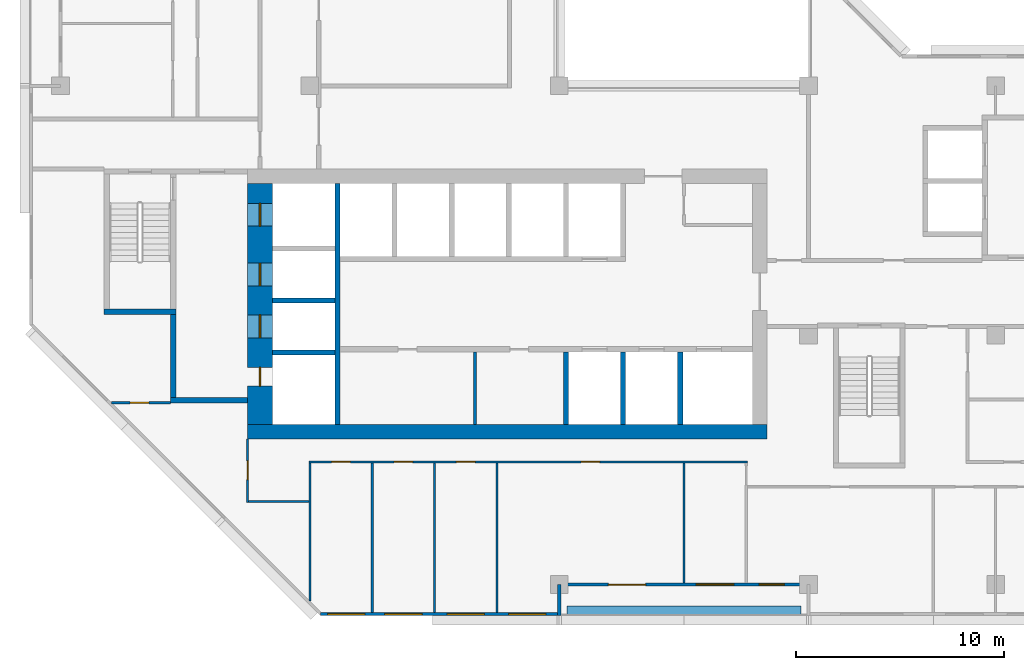
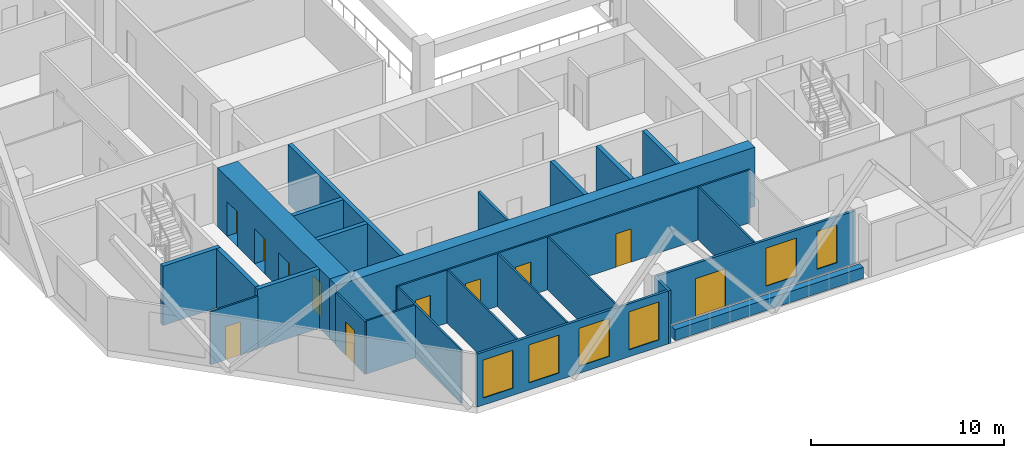
# One storey, part 4 of 16: 25 walls, 11 doors, 6 windows, 17 openings.
"""IFC4 building model written with IfcOpenShell, lengths in metres."""

from ifc_helpers import new_model, si_unit, direction, frame, frame_2d, origin, place, context, subcontext, project, spatial, rectangle, extrude, material, layer, layer_set, type_object, element, fill, save


model = new_model("IFC4")

# Units and contexts
model_context = context("Model", 3, precision=1e-05, world=origin(), true_north=direction((0.0, 1.0)))
body_context = subcontext(model_context, "Body", "Model", "MODEL_VIEW")
ifc_project = project(units=[si_unit("LENGTHUNIT", "METRE"), si_unit("AREAUNIT", "SQUARE_METRE"), si_unit("VOLUMEUNIT", "CUBIC_METRE"), si_unit("PLANEANGLEUNIT", "RADIAN"), si_unit("MASSUNIT", "GRAM", prefix="KILO")], contexts=[model_context])

# Site, building, storey
site_placement = place(None, origin())
site = spatial("IfcSite", under=ifc_project, at=site_placement, CompositionType="ELEMENT")
building_placement = place(site_placement, origin())
building = spatial("IfcBuilding", under=site, at=building_placement, Name="Chenar Terraces", CompositionType="ELEMENT")
storey_placement = place(building_placement, frame((0.0, 0.0, 219.14990234375)))
storey = spatial("IfcBuildingStorey", under=building, at=storey_placement, Name="L51", CompositionType="ELEMENT", Elevation=219.14990234375)

# Wall
ifc_material_1 = material(Name="Gypsum board on steel studs", Category="steel")
ifc_layer_1 = layer(ifc_material_1, 0.14990234375)
ifc_layer_set_1 = layer_set([ifc_layer_1], Name="Gypsum board on steel studs")
wall_type_1 = type_object("IfcWallType", Name="Core partition 150 gypsum board", PredefinedType="PARTITIONING", material=ifc_layer_set_1)
wall_1_placement = place(storey_placement, frame((19.949951171875, 7.699951171875, 0.0), z_axis=(0.0, 0.0, 1.0), x_axis=(0.0, 1.0, 0.0)))
element("IfcWall", 1, at=wall_1_placement, inside=storey, type_object=wall_type_1, Name="Core partition CP1 freed bay wall", PredefinedType="PARTITIONING", context=body_context, shape_type="SweptSolid", body=[
    extrude(rectangle(XDim=3.5, YDim=0.14990234375, at=frame_2d((1.75, 0.0))), origin(), (0.0, 0.0, 1.0), 3.35009765625),
])

# Wall, openings, doors
ifc_material_2 = material(Name="Concrete C60/75", Category="concrete")
ifc_layer_2 = layer(ifc_material_2, 1.199951171875)
ifc_layer_set_2 = layer_set([ifc_layer_2], Name="Concrete C60/75")
wall_type_2 = type_object("IfcWallType", Name="Core wall 1200 Concrete C60/75", PredefinedType="SHEAR", material=ifc_layer_set_2)
wall_2_placement = place(storey_placement, frame((9.60009765625, 7.699951171875, 0.0), z_axis=(0.0, 0.0, 1.0), x_axis=(0.0, 1.0, 0.0)))
wall_2 = element("IfcWall", 2, at=wall_2_placement, inside=storey, type_object=wall_type_2, Name="Core wall W L51", PredefinedType="SHEAR", context=body_context, shape_type="SweptSolid", body=[
    extrude(rectangle(XDim=11.60009765625, YDim=1.199951171875, at=frame_2d((5.800048828125, 0.0))), origin(), (0.0, 0.0, 1.0), 3.75),
])
opening_1_placement = place(wall_2_placement, frame((4.175048828125, 0.0, 0.0)))
opening_1 = element("IfcOpeningElement", 3, at=opening_1_placement, cuts=wall_2, Name="Opening DL51-LD5", PredefinedType="OPENING", context=body_context, shape_type="SweptSolid", body=[
    extrude(rectangle(XDim=1.10009765625, YDim=2.199951171875, at=frame_2d((0.550048828125, 1.10009765625))), frame((0.0, 0.60986328125, 0.0), z_axis=(0.0, -1.0, 0.0), x_axis=(1.0, 0.0, 0.0)), (0.0, 0.0, 1.0), 1.219970703125),
])
opening_2_placement = place(wall_2_placement, frame((6.675048828125, 0.0, 0.0)))
opening_2 = element("IfcOpeningElement", 4, at=opening_2_placement, cuts=wall_2, Name="Opening DL51-LD6", PredefinedType="OPENING", context=body_context, shape_type="SweptSolid", body=[
    extrude(rectangle(XDim=1.10009765625, YDim=2.199951171875, at=frame_2d((0.550048828125, 1.10009765625))), frame((0.0, 0.60986328125, 0.0), z_axis=(0.0, -1.0, 0.0), x_axis=(1.0, 0.0, 0.0)), (0.0, 0.0, 1.0), 1.219970703125),
])
opening_3_placement = place(wall_2_placement, frame((9.550048828125, 0.0, 0.0)))
opening_3 = element("IfcOpeningElement", 5, at=opening_3_placement, cuts=wall_2, Name="Opening DL51-LD7", PredefinedType="OPENING", context=body_context, shape_type="SweptSolid", body=[
    extrude(rectangle(XDim=1.10009765625, YDim=2.199951171875, at=frame_2d((0.550048828125, 1.10009765625))), frame((0.0, 0.60986328125, 0.0), z_axis=(0.0, -1.0, 0.0), x_axis=(1.0, 0.0, 0.0)), (0.0, 0.0, 1.0), 1.219970703125),
])
opening_4_placement = place(wall_2_placement, frame((1.85009765625, 0.0, 0.0)))
opening_4 = element("IfcOpeningElement", 6, at=opening_4_placement, cuts=wall_2, Name="Opening DL51-C4", PredefinedType="OPENING", context=body_context, shape_type="SweptSolid", body=[
    extrude(rectangle(XDim=0.89990234375, YDim=2.10009765625, at=frame_2d((0.449951171875, 1.050048828125))), frame((0.0, 0.60986328125, 0.0), z_axis=(0.0, -1.0, 0.0), x_axis=(1.0, 0.0, 0.0)), (0.0, 0.0, 1.0), 1.219970703125),
])
ifc_material_3 = material(Name="Stainless steel", Category="steel")
door_type_1 = type_object("IfcDoorType", Name="Lift landing door 1100 x 2200 sliding", OperationType="DOUBLE_DOOR_SLIDING", PredefinedType="DOOR", material=ifc_material_3)
door_1_placement = place(opening_1_placement, origin())
door_1 = element("IfcDoor", 7, at=door_1_placement, inside=storey, type_object=door_type_1, Name="Landing door S1", OperationType="DOUBLE_DOOR_SLIDING", OverallHeight=2.199951171875, OverallWidth=1.10009765625, PredefinedType="DOOR", context=body_context, shape_type="SweptSolid", body=[
    extrude(rectangle(XDim=1.10009765625, YDim=2.199951171875, at=frame_2d((0.550048828125, 1.10009765625))), frame((0.0, 0.02490234375, 0.0), z_axis=(0.0, -1.0, 0.0), x_axis=(1.0, 0.0, 0.0)), (0.0, 0.0, 1.0), 0.050048828125),
])
fill(opening_1, door_1)
door_2_placement = place(opening_2_placement, origin())
door_2 = element("IfcDoor", 8, at=door_2_placement, inside=storey, type_object=door_type_1, Name="Landing door F1", OperationType="DOUBLE_DOOR_SLIDING", OverallHeight=2.199951171875, OverallWidth=1.10009765625, PredefinedType="DOOR", context=body_context, shape_type="SweptSolid", body=[
    extrude(rectangle(XDim=1.10009765625, YDim=2.199951171875, at=frame_2d((0.550048828125, 1.10009765625))), frame((0.0, 0.02490234375, 0.0), z_axis=(0.0, -1.0, 0.0), x_axis=(1.0, 0.0, 0.0)), (0.0, 0.0, 1.0), 0.050048828125),
])
fill(opening_2, door_2)
door_3_placement = place(opening_3_placement, origin())
door_3 = element("IfcDoor", 9, at=door_3_placement, inside=storey, type_object=door_type_1, Name="Landing door F2", OperationType="DOUBLE_DOOR_SLIDING", OverallHeight=2.199951171875, OverallWidth=1.10009765625, PredefinedType="DOOR", context=body_context, shape_type="SweptSolid", body=[
    extrude(rectangle(XDim=1.10009765625, YDim=2.199951171875, at=frame_2d((0.550048828125, 1.10009765625))), frame((0.0, 0.02490234375, 0.0), z_axis=(0.0, -1.0, 0.0), x_axis=(1.0, 0.0, 0.0)), (0.0, 0.0, 1.0), 0.050048828125),
])
fill(opening_3, door_3)
ifc_material_4 = material(Name="Steel-framed fire-resisting door leaf", Category="steel")
door_type_2 = type_object("IfcDoorType", Name="Riser fire door FD60 900 x 2100", OperationType="SINGLE_SWING_LEFT", PredefinedType="DOOR", material=ifc_material_4)
door_4_placement = place(opening_4_placement, frame((0.89990234375, 0.0, 0.0), z_axis=(0.0, 0.0, 1.0), x_axis=(-1.0, 0.0, 0.0)))
door_4 = element("IfcDoor", 10, at=door_4_placement, inside=storey, type_object=door_type_2, Name="Riser door DL51-C4", OperationType="SINGLE_SWING_LEFT", OverallHeight=2.10009765625, OverallWidth=0.89990234375, PredefinedType="DOOR", context=body_context, shape_type="SweptSolid", body=[
    extrude(rectangle(XDim=0.89990234375, YDim=2.10009765625, at=frame_2d((0.449951171875, 1.050048828125))), frame((0.0, 0.02490234375, 0.0), z_axis=(0.0, -1.0, 0.0), x_axis=(1.0, 0.0, 0.0)), (0.0, 0.0, 1.0), 0.050048828125),
])
fill(opening_4, door_4)

# Walls
ifc_material_5 = material(Name="Concrete C60/75", Category="concrete")
ifc_layer_3 = layer(ifc_material_5, 0.25)
ifc_layer_set_3 = layer_set([ifc_layer_3], Name="Concrete C60/75")
wall_type_3 = type_object("IfcWallType", Name="Core wall 250 Concrete C60/75", PredefinedType="SHEAR", material=ifc_layer_set_3)
wall_3_placement = place(storey_placement, frame((13.324951171875, 7.699951171875, 0.0), z_axis=(0.0, 0.0, 1.0), x_axis=(0.0, 1.0, 0.0)))
element("IfcWall", 11, at=wall_3_placement, inside=storey, type_object=wall_type_3, Name="Core wall WI L51", PredefinedType="SHEAR", context=body_context, shape_type="SweptSolid", body=[
    extrude(rectangle(XDim=11.60009765625, YDim=0.25, at=frame_2d((5.800048828125, 0.0))), origin(), (0.0, 0.0, 1.0), 3.75),
])
for number, where, z_axis, x_axis, name in (
    (12, (10.199951171875, 11.175048828125, 0.0), (0.0, 0.0, 1.0), (1.0, 0.0, 0.0), "Core wall HW0 L51"),
    (13, (10.199951171875, 13.675048828125, 0.0), (0.0, 0.0, 1.0), (1.0, 0.0, 0.0), "Core wall HW1 L51"),
):
    element("IfcWall", number, at=place(storey_placement, frame(where, z_axis=z_axis, x_axis=x_axis)), inside=storey, type_object=wall_type_3, Name=name, PredefinedType="SHEAR", context=body_context, shape_type="SweptSolid", body=[
        extrude(rectangle(XDim=3.0, YDim=0.25, at=frame_2d((1.5, 0.0))), origin(), (0.0, 0.0, 1.0), 3.75),
    ])
for number, where, z_axis, x_axis, name in (
    (14, (24.324951171875, 7.699951171875, 0.0), (0.0, 0.0, 1.0), (0.0, 1.0, 0.0), "Core wall SS3 L51"),
    (15, (27.074951171875, 7.699951171875, 0.0), (0.0, 0.0, 1.0), (0.0, 1.0, 0.0), "Core wall SS4 L51"),
    (16, (29.824951171875, 7.699951171875, 0.0), (0.0, 0.0, 1.0), (0.0, 1.0, 0.0), "Core wall SS5 L51"),
):
    element("IfcWall", number, at=place(storey_placement, frame(where, z_axis=z_axis, x_axis=x_axis)), inside=storey, type_object=wall_type_3, Name=name, PredefinedType="SHEAR", context=body_context, shape_type="SweptSolid", body=[
        extrude(rectangle(XDim=3.5, YDim=0.25, at=frame_2d((1.75, 0.0))), origin(), (0.0, 0.0, 1.0), 3.75),
    ])
wall_4_placement = place(storey_placement, frame((2.10009765625, 13.125, 0.0), z_axis=(0.0, 0.0, 1.0), x_axis=(1.0, 0.0, 0.0)))
element("IfcWall", 17, at=wall_4_placement, inside=storey, type_object=wall_type_3, Name="Core wall ST1_S L51", PredefinedType="SHEAR", context=body_context, shape_type="SweptSolid", body=[
    extrude(rectangle(XDim=3.449951171875, YDim=0.25, at=frame_2d((1.72509765625, 0.0))), origin(), (0.0, 0.0, 1.0), 3.75),
])
wall_5_placement = place(storey_placement, frame((5.300048828125, 8.875, 0.0), z_axis=(0.0, 0.0, 1.0), x_axis=(1.0, 0.0, 0.0)))
element("IfcWall", 18, at=wall_5_placement, inside=storey, type_object=wall_type_3, Name="Core wall FFL_S L51", PredefinedType="SHEAR", context=body_context, shape_type="SweptSolid", body=[
    extrude(rectangle(XDim=3.699951171875, YDim=0.25, at=frame_2d((1.85009765625, 0.0))), origin(), (0.0, 0.0, 1.0), 3.75),
])
wall_6_placement = place(storey_placement, frame((5.425048828125, 9.0, 0.0), z_axis=(0.0, 0.0, 1.0), x_axis=(0.0, 1.0, 0.0)))
element("IfcWall", 19, at=wall_6_placement, inside=storey, type_object=wall_type_3, Name="Core wall FFL_W L51", PredefinedType="SHEAR", context=body_context, shape_type="SweptSolid", body=[
    extrude(rectangle(XDim=4.0, YDim=0.25, at=frame_2d((2.0, 0.0))), origin(), (0.0, 0.0, 1.0), 3.75),
])
ifc_material_6 = material(Name="Concrete C60/75", Category="concrete")
ifc_layer_4 = layer(ifc_material_6, 0.699951171875)
ifc_layer_set_4 = layer_set([ifc_layer_4], Name="Concrete C60/75")
wall_type_4 = type_object("IfcWallType", Name="Core wall 700 Concrete C60/75", PredefinedType="SHEAR", material=ifc_layer_set_4)
wall_7_placement = place(storey_placement, frame((9.0, 7.35009765625, 0.0), z_axis=(0.0, 0.0, 1.0), x_axis=(1.0, 0.0, 0.0)))
element("IfcWall", 20, at=wall_7_placement, inside=storey, type_object=wall_type_4, Name="Core wall S L51", PredefinedType="SHEAR", context=body_context, shape_type="SweptSolid", body=[
    extrude(rectangle(XDim=25.0, YDim=0.699951171875, at=frame_2d((12.5, 0.0))), origin(), (0.0, 0.0, 1.0), 3.75),
])

# Wall, openings, windows
ifc_material_7 = material(Name="Aluminium framed glazing", Category="aluminium")
ifc_layer_5 = layer(ifc_material_7, 0.14990234375)
ifc_layer_set_5 = layer_set([ifc_layer_5], Name="Aluminium framed glazing")
wall_type_5 = type_object("IfcWallType", Name="Glazed flush facade wall 150", PredefinedType="SOLIDWALL", material=ifc_layer_set_5)
wall_8_placement = place(storey_placement, frame((12.5, -1.425048828125, 0.0), z_axis=(0.0, 0.0, 1.0), x_axis=(1.0, 0.0, 0.0)))
wall_8 = element("IfcWall", 21, at=wall_8_placement, inside=storey, type_object=wall_type_5, Name="Glazed flush facade wall", PredefinedType="SOLIDWALL", context=body_context, shape_type="SweptSolid", body=[
    extrude(rectangle(XDim=11.425048828125, YDim=0.14990234375, at=frame_2d((5.71240234375, 0.0))), origin(), (0.0, 0.0, 1.0), 3.35009765625),
])
opening_5_placement = place(wall_8_placement, frame((0.35009765625, 0.0, 0.449951171875)))
opening_5 = element("IfcOpeningElement", 22, at=opening_5_placement, cuts=wall_8, Name="Opening W180x240", PredefinedType="OPENING", context=body_context, shape_type="SweptSolid", body=[
    extrude(rectangle(XDim=1.800048828125, YDim=2.39990234375, at=frame_2d((0.89990234375, 1.199951171875))), frame((0.0, 0.0849609375, 0.0), z_axis=(0.0, -1.0, 0.0), x_axis=(1.0, 0.0, 0.0)), (0.0, 0.0, 1.0), 0.169921875),
])
opening_6_placement = place(wall_8_placement, frame((3.10009765625, 0.0, 0.449951171875)))
opening_6 = element("IfcOpeningElement", 23, at=opening_6_placement, cuts=wall_8, Name="Opening W180x240", PredefinedType="OPENING", context=body_context, shape_type="SweptSolid", body=[
    extrude(rectangle(XDim=1.800048828125, YDim=2.39990234375, at=frame_2d((0.89990234375, 1.199951171875))), frame((0.0, 0.0849609375, 0.0), z_axis=(0.0, -1.0, 0.0), x_axis=(1.0, 0.0, 0.0)), (0.0, 0.0, 1.0), 0.169921875),
])
opening_7_placement = place(wall_8_placement, frame((6.10009765625, 0.0, 0.449951171875)))
opening_7 = element("IfcOpeningElement", 24, at=opening_7_placement, cuts=wall_8, Name="Opening W180x240", PredefinedType="OPENING", context=body_context, shape_type="SweptSolid", body=[
    extrude(rectangle(XDim=1.800048828125, YDim=2.39990234375, at=frame_2d((0.89990234375, 1.199951171875))), frame((0.0, 0.0849609375, 0.0), z_axis=(0.0, -1.0, 0.0), x_axis=(1.0, 0.0, 0.0)), (0.0, 0.0, 1.0), 0.169921875),
])
opening_8_placement = place(wall_8_placement, frame((9.0625, 0.0, 0.449951171875)))
opening_8 = element("IfcOpeningElement", 25, at=opening_8_placement, cuts=wall_8, Name="Opening W180x240", PredefinedType="OPENING", context=body_context, shape_type="SweptSolid", body=[
    extrude(rectangle(XDim=1.800048828125, YDim=2.39990234375, at=frame_2d((0.89990234375, 1.199951171875))), frame((0.0, 0.0849609375, 0.0), z_axis=(0.0, -1.0, 0.0), x_axis=(1.0, 0.0, 0.0)), (0.0, 0.0, 1.0), 0.169921875),
])
ifc_material_8 = material(Name="Low emissivity double glazing, aluminium frame", Category="aluminium")
window_type_1 = type_object("IfcWindowType", Name="Fixed light 1800 x 2400", PartitioningType="SINGLE_PANEL", PredefinedType="WINDOW", material=ifc_material_8)
window_1_placement = place(opening_5_placement, origin())
window_1 = element("IfcWindow", 26, at=window_1_placement, inside=storey, type_object=window_type_1, Name="Window", OverallHeight=2.39990234375, OverallWidth=1.800048828125, PartitioningType="SINGLE_PANEL", PredefinedType="WINDOW", context=body_context, shape_type="SweptSolid", body=[
    extrude(rectangle(XDim=1.800048828125, YDim=2.39990234375, at=frame_2d((0.89990234375, 1.199951171875))), frame((0.0, 0.030029296875, 0.0), z_axis=(0.0, -1.0, 0.0), x_axis=(1.0, 0.0, 0.0)), (0.0, 0.0, 1.0), 0.06005859375),
])
fill(opening_5, window_1)
window_2_placement = place(opening_6_placement, origin())
window_2 = element("IfcWindow", 27, at=window_2_placement, inside=storey, type_object=window_type_1, Name="Window", OverallHeight=2.39990234375, OverallWidth=1.800048828125, PartitioningType="SINGLE_PANEL", PredefinedType="WINDOW", context=body_context, shape_type="SweptSolid", body=[
    extrude(rectangle(XDim=1.800048828125, YDim=2.39990234375, at=frame_2d((0.89990234375, 1.199951171875))), frame((0.0, 0.030029296875, 0.0), z_axis=(0.0, -1.0, 0.0), x_axis=(1.0, 0.0, 0.0)), (0.0, 0.0, 1.0), 0.06005859375),
])
fill(opening_6, window_2)
window_3_placement = place(opening_7_placement, origin())
window_3 = element("IfcWindow", 28, at=window_3_placement, inside=storey, type_object=window_type_1, Name="Window", OverallHeight=2.39990234375, OverallWidth=1.800048828125, PartitioningType="SINGLE_PANEL", PredefinedType="WINDOW", context=body_context, shape_type="SweptSolid", body=[
    extrude(rectangle(XDim=1.800048828125, YDim=2.39990234375, at=frame_2d((0.89990234375, 1.199951171875))), frame((0.0, 0.030029296875, 0.0), z_axis=(0.0, -1.0, 0.0), x_axis=(1.0, 0.0, 0.0)), (0.0, 0.0, 1.0), 0.06005859375),
])
fill(opening_7, window_3)
window_4_placement = place(opening_8_placement, origin())
window_4 = element("IfcWindow", 29, at=window_4_placement, inside=storey, type_object=window_type_1, Name="Window", OverallHeight=2.39990234375, OverallWidth=1.800048828125, PartitioningType="SINGLE_PANEL", PredefinedType="WINDOW", context=body_context, shape_type="SweptSolid", body=[
    extrude(rectangle(XDim=1.800048828125, YDim=2.39990234375, at=frame_2d((0.89990234375, 1.199951171875))), frame((0.0, 0.030029296875, 0.0), z_axis=(0.0, -1.0, 0.0), x_axis=(1.0, 0.0, 0.0)), (0.0, 0.0, 1.0), 0.06005859375),
])
fill(opening_8, window_4)

# Wall, openings, windows, door
ifc_material_9 = material(Name="Aluminium framed glazing", Category="aluminium")
ifc_layer_6 = layer(ifc_material_9, 0.14990234375)
ifc_layer_set_6 = layer_set([ifc_layer_6], Name="Aluminium framed glazing")
wall_type_6 = type_object("IfcWallType", Name="Glazed loggia back wall 150", PredefinedType="SOLIDWALL", material=ifc_layer_set_6)
wall_9_placement = place(storey_placement, frame((24.074951171875, 0.0, 0.0), z_axis=(0.0, 0.0, 1.0), x_axis=(1.0, 0.0, 0.0)))
wall_9 = element("IfcWall", 30, at=wall_9_placement, inside=storey, type_object=wall_type_6, Name="Glazed loggia back wall", PredefinedType="SOLIDWALL", context=body_context, shape_type="SweptSolid", body=[
    extrude(rectangle(XDim=11.85009765625, YDim=0.14990234375, at=frame_2d((5.925048828125, 0.0))), origin(), (0.0, 0.0, 1.0), 3.35009765625),
])
opening_9_placement = place(wall_9_placement, frame((2.28759765625, 0.0, 0.0)))
opening_9 = element("IfcOpeningElement", 31, at=opening_9_placement, cuts=wall_9, Name="Opening DL51-G6", PredefinedType="OPENING", context=body_context, shape_type="SweptSolid", body=[
    extrude(rectangle(XDim=1.800048828125, YDim=2.39990234375, at=frame_2d((0.89990234375, 1.199951171875))), frame((0.0, 0.0849609375, 0.0), z_axis=(0.0, -1.0, 0.0), x_axis=(1.0, 0.0, 0.0)), (0.0, 0.0, 1.0), 0.169921875),
])
opening_10_placement = place(wall_9_placement, frame((6.52490234375, 0.0, 0.449951171875)))
opening_10 = element("IfcOpeningElement", 32, at=opening_10_placement, cuts=wall_9, Name="Opening W180x240", PredefinedType="OPENING", context=body_context, shape_type="SweptSolid", body=[
    extrude(rectangle(XDim=1.800048828125, YDim=2.39990234375, at=frame_2d((0.89990234375, 1.199951171875))), frame((0.0, 0.0849609375, 0.0), z_axis=(0.0, -1.0, 0.0), x_axis=(1.0, 0.0, 0.0)), (0.0, 0.0, 1.0), 0.169921875),
])
opening_11_placement = place(wall_9_placement, frame((9.5625, 0.0, 0.449951171875)))
opening_11 = element("IfcOpeningElement", 33, at=opening_11_placement, cuts=wall_9, Name="Opening W120x240", PredefinedType="OPENING", context=body_context, shape_type="SweptSolid", body=[
    extrude(rectangle(XDim=1.199951171875, YDim=2.39990234375, at=frame_2d((0.60009765625, 1.199951171875))), frame((0.0, 0.0849609375, 0.0), z_axis=(0.0, -1.0, 0.0), x_axis=(1.0, 0.0, 0.0)), (0.0, 0.0, 1.0), 0.169921875),
])
ifc_material_10 = material(Name="Low emissivity double glazing, aluminium frame", Category="aluminium")
window_type_2 = type_object("IfcWindowType", Name="Fixed light 1200 x 2400", PartitioningType="SINGLE_PANEL", PredefinedType="WINDOW", material=ifc_material_10)
window_5_placement = place(opening_11_placement, origin())
window_5 = element("IfcWindow", 34, at=window_5_placement, inside=storey, type_object=window_type_2, Name="Window", OverallHeight=2.39990234375, OverallWidth=1.199951171875, PartitioningType="SINGLE_PANEL", PredefinedType="WINDOW", context=body_context, shape_type="SweptSolid", body=[
    extrude(rectangle(XDim=1.199951171875, YDim=2.39990234375, at=frame_2d((0.60009765625, 1.199951171875))), frame((0.0, 0.030029296875, 0.0), z_axis=(0.0, -1.0, 0.0), x_axis=(1.0, 0.0, 0.0)), (0.0, 0.0, 1.0), 0.06005859375),
])
fill(opening_11, window_5)
window_6_placement = place(opening_10_placement, origin())
window_6 = element("IfcWindow", 35, at=window_6_placement, inside=storey, type_object=window_type_1, Name="Window", OverallHeight=2.39990234375, OverallWidth=1.800048828125, PartitioningType="SINGLE_PANEL", PredefinedType="WINDOW", context=body_context, shape_type="SweptSolid", body=[
    extrude(rectangle(XDim=1.800048828125, YDim=2.39990234375, at=frame_2d((0.89990234375, 1.199951171875))), frame((0.0, 0.030029296875, 0.0), z_axis=(0.0, -1.0, 0.0), x_axis=(1.0, 0.0, 0.0)), (0.0, 0.0, 1.0), 0.06005859375),
])
fill(opening_10, window_6)
ifc_material_11 = material(Name="Low emissivity double glazing, aluminium frame", Category="aluminium")
door_type_3 = type_object("IfcDoorType", Name="Loggia glazed double door 1800 x 2400", OperationType="DOUBLE_DOOR_SINGLE_SWING", PredefinedType="DOOR", material=ifc_material_11)
door_5_placement = place(opening_9_placement, frame((1.800048828125, 0.0, 0.0), z_axis=(0.0, 0.0, 1.0), x_axis=(-1.0, 0.0, 0.0)))
door_5 = element("IfcDoor", 36, at=door_5_placement, inside=storey, type_object=door_type_3, Name="Loggia glazed door", OperationType="DOUBLE_DOOR_SINGLE_SWING", OverallHeight=2.39990234375, OverallWidth=1.800048828125, PredefinedType="DOOR", context=body_context, shape_type="SweptSolid", body=[
    extrude(rectangle(XDim=1.800048828125, YDim=2.39990234375, at=frame_2d((0.89990234375, 1.199951171875))), frame((0.0, 0.02490234375, 0.0), z_axis=(0.0, -1.0, 0.0), x_axis=(1.0, 0.0, 0.0)), (0.0, 0.0, 1.0), 0.050048828125),
])
fill(opening_9, door_5)

# Wall, opening, door
ifc_material_12 = material(Name="Gypsum board on steel studs", Category="steel")
ifc_layer_7 = layer(ifc_material_12, 0.10009765625)
ifc_layer_set_7 = layer_set([ifc_layer_7], Name="Gypsum board on steel studs")
wall_type_7 = type_object("IfcWallType", Name="Gypsum partition 100", PredefinedType="PARTITIONING", material=ifc_layer_set_7)
wall_10_placement = place(storey_placement, frame((2.4609375, 8.75, 0.0), z_axis=(0.0, 0.0, 1.0), x_axis=(1.0, 0.0, 0.0)))
wall_10 = element("IfcWall", 37, at=wall_10_placement, inside=storey, type_object=wall_type_7, Name="Partition L51-014", PredefinedType="PARTITIONING", context=body_context, shape_type="SweptSolid", body=[
    extrude(rectangle(XDim=2.839111328125, YDim=0.10009765625, at=frame_2d((1.41943359375, 0.0))), origin(), (0.0, 0.0, 1.0), 3.35009765625),
])
opening_12_placement = place(wall_10_placement, frame((0.888916015625, 0.0, 0.0)))
opening_12 = element("IfcOpeningElement", 38, at=opening_12_placement, cuts=wall_10, Name="Opening DL51-54", PredefinedType="OPENING", context=body_context, shape_type="SweptSolid", body=[
    extrude(rectangle(XDim=0.89990234375, YDim=2.10009765625, at=frame_2d((0.449951171875, 1.050048828125))), frame((0.0, 0.06005859375, 0.0), z_axis=(0.0, -1.0, 0.0), x_axis=(1.0, 0.0, 0.0)), (0.0, 0.0, 1.0), 0.1201171875),
])
ifc_material_13 = material(Name="Veneered timber door leaf", Category="wood")
door_type_4 = type_object("IfcDoorType", Name="Door 900 x 2100", OperationType="SINGLE_SWING_LEFT", PredefinedType="DOOR", material=ifc_material_13)
door_6_placement = place(opening_12_placement, frame((0.89990234375, 0.0, 0.0), z_axis=(0.0, 0.0, 1.0), x_axis=(-1.0, 0.0, 0.0)))
door_6 = element("IfcDoor", 39, at=door_6_placement, inside=storey, type_object=door_type_4, Name="Door DL51-54", OperationType="SINGLE_SWING_RIGHT", OverallHeight=2.10009765625, OverallWidth=0.89990234375, PredefinedType="DOOR", context=body_context, shape_type="SweptSolid", body=[
    extrude(rectangle(XDim=0.89990234375, YDim=2.10009765625, at=frame_2d((0.449951171875, 1.050048828125))), frame((0.0, 0.02490234375, 0.0), z_axis=(0.0, -1.0, 0.0), x_axis=(1.0, 0.0, 0.0)), (0.0, 0.0, 1.0), 0.050048828125),
])
fill(opening_12, door_6)

wall_11_placement = place(storey_placement, frame((9.0, 3.949951171875, 0.0), z_axis=(0.0, 0.0, 1.0), x_axis=(0.0, 1.0, 0.0)))
wall_11 = element("IfcWall", 40, at=wall_11_placement, inside=storey, type_object=wall_type_7, Name="Partition L51-031", PredefinedType="PARTITIONING", context=body_context, shape_type="SweptSolid", body=[
    extrude(rectangle(XDim=3.050048828125, YDim=0.10009765625, at=frame_2d((1.52490234375, 0.0))), origin(), (0.0, 0.0, 1.0), 3.35009765625),
])
opening_13_placement = place(wall_11_placement, frame((1.10009765625, 0.0, 0.0)))
opening_13 = element("IfcOpeningElement", 41, at=opening_13_placement, cuts=wall_11, Name="Opening DL51-53", PredefinedType="OPENING", context=body_context, shape_type="SweptSolid", body=[
    extrude(rectangle(XDim=0.89990234375, YDim=2.10009765625, at=frame_2d((0.449951171875, 1.050048828125))), frame((0.0, 0.06005859375, 0.0), z_axis=(0.0, -1.0, 0.0), x_axis=(1.0, 0.0, 0.0)), (0.0, 0.0, 1.0), 0.1201171875),
])
door_7_placement = place(opening_13_placement, origin())
door_7 = element("IfcDoor", 42, at=door_7_placement, inside=storey, type_object=door_type_4, Name="Door DL51-53", OperationType="SINGLE_SWING_LEFT", OverallHeight=2.10009765625, OverallWidth=0.89990234375, PredefinedType="DOOR", context=body_context, shape_type="SweptSolid", body=[
    extrude(rectangle(XDim=0.89990234375, YDim=2.10009765625, at=frame_2d((0.449951171875, 1.050048828125))), frame((0.0, 0.02490234375, 0.0), z_axis=(0.0, -1.0, 0.0), x_axis=(1.0, 0.0, 0.0)), (0.0, 0.0, 1.0), 0.050048828125),
])
fill(opening_13, door_7)

# Wall
wall_12_placement = place(storey_placement, frame((9.050048828125, 4.0, 0.0), z_axis=(0.0, 0.0, 1.0), x_axis=(1.0, 0.0, 0.0)))
element("IfcWall", 43, at=wall_12_placement, inside=storey, type_object=wall_type_7, Name="Partition L51-032", PredefinedType="PARTITIONING", context=body_context, shape_type="SweptSolid", body=[
    extrude(rectangle(XDim=2.89990234375, YDim=0.10009765625, at=frame_2d((1.449951171875, 0.0))), origin(), (0.0, 0.0, 1.0), 3.35009765625),
])

# Wall, openings, doors
wall_13_placement = place(storey_placement, frame((11.949951171875, 5.89990234375, 0.0), z_axis=(0.0, 0.0, 1.0), x_axis=(1.0, 0.0, 0.0)))
wall_13 = element("IfcWall", 44, at=wall_13_placement, inside=storey, type_object=wall_type_7, Name="Partition L51-034", PredefinedType="PARTITIONING", context=body_context, shape_type="SweptSolid", body=[
    extrude(rectangle(XDim=21.10009765625, YDim=0.10009765625, at=frame_2d((10.550048828125, 0.0))), origin(), (0.0, 0.0, 1.0), 3.35009765625),
])
opening_14_placement = place(wall_13_placement, frame((1.10009765625, 0.0, 0.0)))
opening_14 = element("IfcOpeningElement", 45, at=opening_14_placement, cuts=wall_13, Name="Opening DL51-45", PredefinedType="OPENING", context=body_context, shape_type="SweptSolid", body=[
    extrude(rectangle(XDim=0.89990234375, YDim=2.10009765625, at=frame_2d((0.449951171875, 1.050048828125))), frame((0.0, 0.06005859375, 0.0), z_axis=(0.0, -1.0, 0.0), x_axis=(1.0, 0.0, 0.0)), (0.0, 0.0, 1.0), 0.1201171875),
])
opening_15_placement = place(wall_13_placement, frame((4.10009765625, 0.0, 0.0)))
opening_15 = element("IfcOpeningElement", 46, at=opening_15_placement, cuts=wall_13, Name="Opening DL51-46", PredefinedType="OPENING", context=body_context, shape_type="SweptSolid", body=[
    extrude(rectangle(XDim=0.89990234375, YDim=2.10009765625, at=frame_2d((0.449951171875, 1.050048828125))), frame((0.0, 0.06005859375, 0.0), z_axis=(0.0, -1.0, 0.0), x_axis=(1.0, 0.0, 0.0)), (0.0, 0.0, 1.0), 0.1201171875),
])
opening_16_placement = place(wall_13_placement, frame((7.10009765625, 0.0, 0.0)))
opening_16 = element("IfcOpeningElement", 47, at=opening_16_placement, cuts=wall_13, Name="Opening DL51-47", PredefinedType="OPENING", context=body_context, shape_type="SweptSolid", body=[
    extrude(rectangle(XDim=0.89990234375, YDim=2.10009765625, at=frame_2d((0.449951171875, 1.050048828125))), frame((0.0, 0.06005859375, 0.0), z_axis=(0.0, -1.0, 0.0), x_axis=(1.0, 0.0, 0.0)), (0.0, 0.0, 1.0), 0.1201171875),
])
opening_17_placement = place(wall_13_placement, frame((13.10009765625, 0.0, 0.0)))
opening_17 = element("IfcOpeningElement", 48, at=opening_17_placement, cuts=wall_13, Name="Opening DL51-58", PredefinedType="OPENING", context=body_context, shape_type="SweptSolid", body=[
    extrude(rectangle(XDim=0.89990234375, YDim=2.10009765625, at=frame_2d((0.449951171875, 1.050048828125))), frame((0.0, 0.06005859375, 0.0), z_axis=(0.0, -1.0, 0.0), x_axis=(1.0, 0.0, 0.0)), (0.0, 0.0, 1.0), 0.1201171875),
])
door_8_placement = place(opening_14_placement, frame((0.89990234375, 0.0, 0.0), z_axis=(0.0, 0.0, 1.0), x_axis=(-1.0, 0.0, 0.0)))
door_8 = element("IfcDoor", 49, at=door_8_placement, inside=storey, type_object=door_type_4, Name="Door DL51-45", OperationType="SINGLE_SWING_RIGHT", OverallHeight=2.10009765625, OverallWidth=0.89990234375, PredefinedType="DOOR", context=body_context, shape_type="SweptSolid", body=[
    extrude(rectangle(XDim=0.89990234375, YDim=2.10009765625, at=frame_2d((0.449951171875, 1.050048828125))), frame((0.0, 0.02490234375, 0.0), z_axis=(0.0, -1.0, 0.0), x_axis=(1.0, 0.0, 0.0)), (0.0, 0.0, 1.0), 0.050048828125),
])
fill(opening_14, door_8)
door_9_placement = place(opening_15_placement, frame((0.89990234375, 0.0, 0.0), z_axis=(0.0, 0.0, 1.0), x_axis=(-1.0, 0.0, 0.0)))
door_9 = element("IfcDoor", 50, at=door_9_placement, inside=storey, type_object=door_type_4, Name="Door DL51-46", OperationType="SINGLE_SWING_RIGHT", OverallHeight=2.10009765625, OverallWidth=0.89990234375, PredefinedType="DOOR", context=body_context, shape_type="SweptSolid", body=[
    extrude(rectangle(XDim=0.89990234375, YDim=2.10009765625, at=frame_2d((0.449951171875, 1.050048828125))), frame((0.0, 0.02490234375, 0.0), z_axis=(0.0, -1.0, 0.0), x_axis=(1.0, 0.0, 0.0)), (0.0, 0.0, 1.0), 0.050048828125),
])
fill(opening_15, door_9)
door_10_placement = place(opening_16_placement, frame((0.89990234375, 0.0, 0.0), z_axis=(0.0, 0.0, 1.0), x_axis=(-1.0, 0.0, 0.0)))
door_10 = element("IfcDoor", 51, at=door_10_placement, inside=storey, type_object=door_type_4, Name="Door DL51-47", OperationType="SINGLE_SWING_RIGHT", OverallHeight=2.10009765625, OverallWidth=0.89990234375, PredefinedType="DOOR", context=body_context, shape_type="SweptSolid", body=[
    extrude(rectangle(XDim=0.89990234375, YDim=2.10009765625, at=frame_2d((0.449951171875, 1.050048828125))), frame((0.0, 0.02490234375, 0.0), z_axis=(0.0, -1.0, 0.0), x_axis=(1.0, 0.0, 0.0)), (0.0, 0.0, 1.0), 0.050048828125),
])
fill(opening_16, door_10)
door_11_placement = place(opening_17_placement, frame((0.89990234375, 0.0, 0.0), z_axis=(0.0, 0.0, 1.0), x_axis=(-1.0, 0.0, 0.0)))
door_11 = element("IfcDoor", 52, at=door_11_placement, inside=storey, type_object=door_type_4, Name="Door DL51-58", OperationType="SINGLE_SWING_RIGHT", OverallHeight=2.10009765625, OverallWidth=0.89990234375, PredefinedType="DOOR", context=body_context, shape_type="SweptSolid", body=[
    extrude(rectangle(XDim=0.89990234375, YDim=2.10009765625, at=frame_2d((0.449951171875, 1.050048828125))), frame((0.0, 0.02490234375, 0.0), z_axis=(0.0, -1.0, 0.0), x_axis=(1.0, 0.0, 0.0)), (0.0, 0.0, 1.0), 0.050048828125),
])
fill(opening_17, door_11)

# Walls
wall_14_placement = place(storey_placement, frame((12.0, -0.787841796875, 0.0), z_axis=(0.0, 0.0, 1.0), x_axis=(0.0, 1.0, 0.0)))
element("IfcWall", 53, at=wall_14_placement, inside=storey, type_object=wall_type_7, Name="Partition L51-035", PredefinedType="PARTITIONING", context=body_context, shape_type="SweptSolid", body=[
    extrude(rectangle(XDim=6.637939453125, YDim=0.10009765625, at=frame_2d((3.31884765625, 0.0))), origin(), (0.0, 0.0, 1.0), 3.35009765625),
])
for number, where, z_axis, x_axis, name in (
    (54, (15.0, -1.35107421875, 0.0), (0.0, 0.0, 1.0), (0.0, 1.0, 0.0), "Partition L51-046"),
    (55, (18.0, -1.35107421875, 0.0), (0.0, 0.0, 1.0), (0.0, 1.0, 0.0), "Partition L51-054"),
):
    element("IfcWall", number, at=place(storey_placement, frame(where, z_axis=z_axis, x_axis=x_axis)), inside=storey, type_object=wall_type_7, Name=name, PredefinedType="PARTITIONING", context=body_context, shape_type="SweptSolid", body=[
        extrude(rectangle(XDim=7.201171875, YDim=0.10009765625, at=frame_2d((3.6005859375, 0.0))), origin(), (0.0, 0.0, 1.0), 3.35009765625),
    ])
wall_15_placement = place(storey_placement, frame((21.0, -1.35009765625, 0.0), z_axis=(0.0, 0.0, 1.0), x_axis=(0.0, 1.0, 0.0)))
element("IfcWall", 56, at=wall_15_placement, inside=storey, type_object=wall_type_7, Name="Partition L51-058", PredefinedType="PARTITIONING", context=body_context, shape_type="SweptSolid", body=[
    extrude(rectangle(XDim=7.2001953125, YDim=0.10009765625, at=frame_2d((3.60009765625, 0.0))), origin(), (0.0, 0.0, 1.0), 3.35009765625),
])
wall_16_placement = place(storey_placement, frame((30.0, 0.073974609375, 0.0), z_axis=(0.0, 0.0, 1.0), x_axis=(0.0, 1.0, 0.0)))
element("IfcWall", 57, at=wall_16_placement, inside=storey, type_object=wall_type_7, Name="Partition L51-060", PredefinedType="PARTITIONING", context=body_context, shape_type="SweptSolid", body=[
    extrude(rectangle(XDim=5.776123046875, YDim=0.10009765625, at=frame_2d((2.88818359375, 0.0))), origin(), (0.0, 0.0, 1.0), 3.35009765625),
])
ifc_material_14 = material(Name="Terracotta cladding on insulated backing", Category="masonry")
ifc_layer_8 = layer(ifc_material_14, 0.14990234375)
ifc_layer_set_8 = layer_set([ifc_layer_8], Name="Terracotta cladding on insulated backing")
wall_type_8 = type_object("IfcWallType", Name="Loggia return wall 150", PredefinedType="SOLIDWALL", material=ifc_layer_set_8)
wall_17_placement = place(storey_placement, frame((24.0, -1.5, 0.0), z_axis=(0.0, 0.0, 1.0), x_axis=(0.0, 1.0, 0.0)))
element("IfcWall", 58, at=wall_17_placement, inside=storey, type_object=wall_type_8, Name="Loggia return wall", PredefinedType="SOLIDWALL", context=body_context, shape_type="SweptSolid", body=[
    extrude(rectangle(XDim=1.5, YDim=0.14990234375, at=frame_2d((0.75, 0.0))), origin(), (0.0, 0.0, 1.0), 3.35009765625),
])
ifc_material_15 = material(Name="GRP planter trough")
ifc_layer_9 = layer(ifc_material_15, 0.39990234375)
ifc_layer_set_9 = layer_set([ifc_layer_9], Name="GRP planter trough")
wall_type_9 = type_object("IfcWallType", Name="Vertical greenery planter 400", PredefinedType="SOLIDWALL", material=ifc_layer_set_9)
wall_18_placement = place(storey_placement, frame((24.375, -1.22900390625, 0.0), z_axis=(0.0, 0.0, 1.0), x_axis=(1.0, 0.0, 0.0)))
element("IfcWall", 59, at=wall_18_placement, inside=storey, type_object=wall_type_9, Name="Vertical greenery planter", PredefinedType="SOLIDWALL", context=body_context, shape_type="SweptSolid", body=[
    extrude(rectangle(XDim=11.25, YDim=0.39990234375, at=frame_2d((5.625, 0.0))), origin(), (0.0, 0.0, 1.0), 0.7001953125),
])

save(model, "model.ifc")
